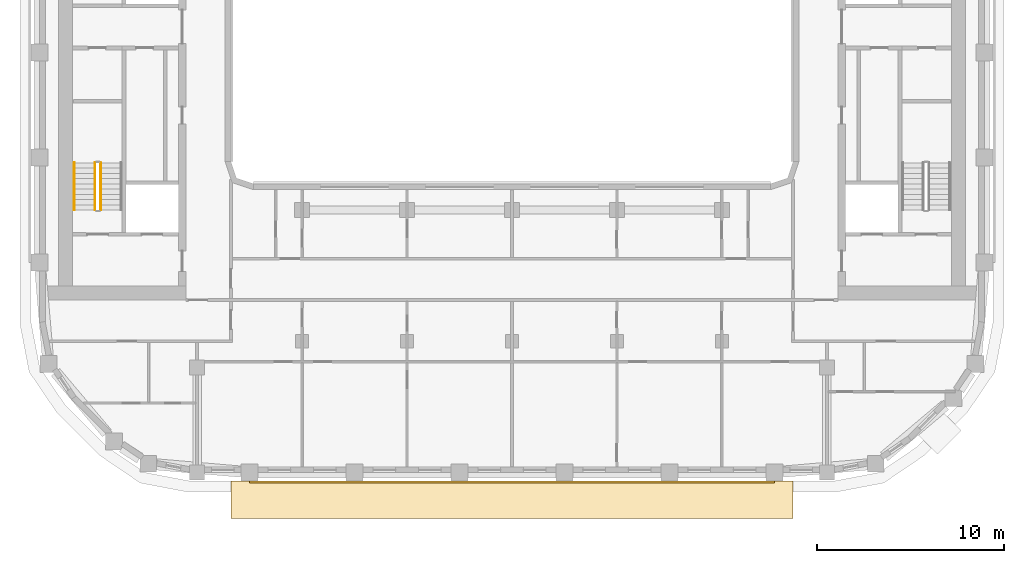
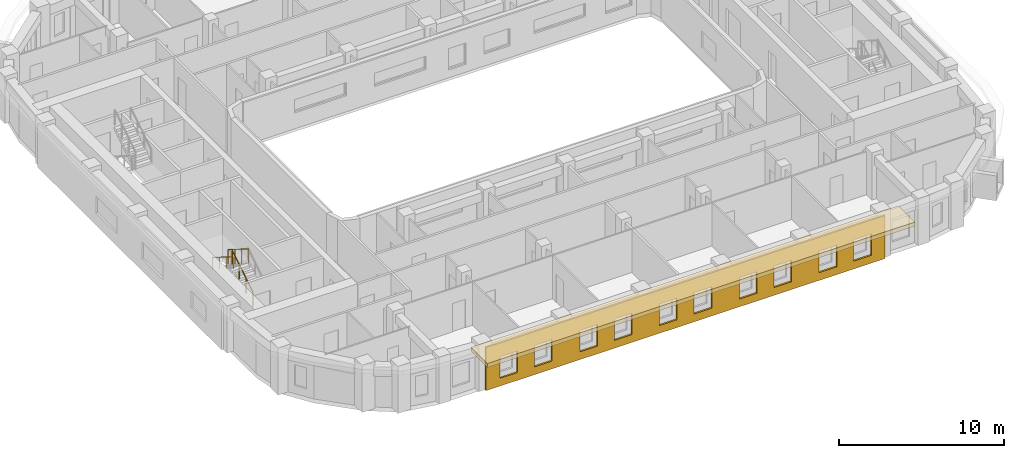
# One storey, part 11 of 21: 3 railings, 2 coverings.
"""IFC4 building model written with IfcOpenShell, lengths in metres."""

from ifc_helpers import new_model, si_unit, direction, frame, origin, origin_2d, place, context, subcontext, project, spatial, polyline, circle, outline, extrude, material, layer, layer_set, type_object, element, save


model = new_model("IFC4")

# Units and contexts
model_context = context("Model", 3, precision=1e-05, world=origin(), true_north=direction((0.0, 1.0)))
body_context = subcontext(model_context, "Body", "Model", "MODEL_VIEW")
ifc_project = project(units=[si_unit("LENGTHUNIT", "METRE"), si_unit("AREAUNIT", "SQUARE_METRE"), si_unit("VOLUMEUNIT", "CUBIC_METRE"), si_unit("PLANEANGLEUNIT", "RADIAN"), si_unit("MASSUNIT", "GRAM", prefix="KILO")], contexts=[model_context])

# Site, building, storey
site_placement = place(None, origin())
site = spatial("IfcSite", under=ifc_project, at=site_placement, CompositionType="ELEMENT")
building_placement = place(site_placement, origin())
building = spatial("IfcBuilding", under=site, at=building_placement, Name="Kiln Ring Residences", CompositionType="ELEMENT")
storey_placement = place(building_placement, frame((0.0, 0.0, 199.39990234375)))
storey = spatial("IfcBuildingStorey", under=building, at=storey_placement, Name="L51", CompositionType="ELEMENT", Elevation=199.39990234375)

# Railings
ifc_material_1 = material(Name="Stainless steel", Category="steel")
railing_type_1 = type_object("IfcRailingType", Name="CORE-STAIR-GUARD", PredefinedType="GUARDRAIL", material=ifc_material_1)
railing_1_placement = place(storey_placement, frame((-21.949951171875, -8.39990234375, 0.175048828125)))
element("IfcRailing", 1, at=railing_1_placement, inside=storey, type_object=railing_type_1, Name="L51 W-STS stair guard 1", PredefinedType="GUARDRAIL", context=body_context, shape_type="SweptSolid", body=[
    extrude(circle(Radius=0.02392578125, at=origin_2d()), frame((0.0, 0.0, 1.076171875), z_axis=(0.0, 0.848007534815, 0.529984170421), x_axis=(-1.0, 0.0, 0.0)), (0.0, 0.0, 1.0), 2.9716796875),
    extrude(circle(Radius=0.02099609375, at=origin_2d()), origin(), (0.0, 0.0, 1.0), 1.052001953125),
    extrude(circle(Radius=0.02099609375, at=origin_2d()), frame((0.0, 0.840087890625, 0.52490234375)), (0.0, 0.0, 1.0), 1.052001953125),
    extrude(circle(Radius=0.02099609375, at=origin_2d()), frame((0.0, 1.679931640625, 1.050048828125)), (0.0, 0.0, 1.0), 1.052001953125),
    extrude(circle(Radius=0.02099609375, at=origin_2d()), frame((0.0, 2.52001953125, 1.574951171875)), (0.0, 0.0, 1.0), 1.052001953125),
])
railing_2_placement = place(storey_placement, frame((-22.25, -5.8798828125, 1.925048828125)))
element("IfcRailing", 2, at=railing_2_placement, inside=storey, type_object=railing_type_1, Name="L51 W-STS stair guard 3", PredefinedType="GUARDRAIL", context=body_context, shape_type="SweptSolid", body=[
    extrude(circle(Radius=0.02392578125, at=origin_2d()), frame((0.0, 0.0, 1.076171875), z_axis=(0.0, -0.848007534815, 0.529984170421), x_axis=(1.0, 0.0, 0.0)), (0.0, 0.0, 1.0), 2.9716796875),
    extrude(circle(Radius=0.02099609375, at=origin_2d()), origin(), (0.0, 0.0, 1.0), 1.052001953125),
    extrude(circle(Radius=0.02099609375, at=origin_2d()), frame((0.0, -0.840087890625, 0.52490234375)), (0.0, 0.0, 1.0), 1.052001953125),
    extrude(circle(Radius=0.02099609375, at=origin_2d()), frame((0.0, -1.679931640625, 1.050048828125)), (0.0, 0.0, 1.0), 1.052001953125),
    extrude(circle(Radius=0.02099609375, at=origin_2d()), frame((0.0, -2.52001953125, 1.574951171875)), (0.0, 0.0, 1.0), 1.052001953125),
])
ifc_material_2 = material(Name="Stainless steel", Category="steel")
railing_type_2 = type_object("IfcRailingType", Name="CORE-STAIR-HANDRAIL", PredefinedType="HANDRAIL", material=ifc_material_2)
railing_3_placement = place(storey_placement, frame((-23.35009765625, -5.8798828125, 1.925048828125)))
element("IfcRailing", 3, at=railing_3_placement, inside=storey, type_object=railing_type_2, Name="L51 W-STS stair handrail 2", PredefinedType="HANDRAIL", context=body_context, shape_type="SweptSolid", body=[
    extrude(circle(Radius=0.02392578125, at=origin_2d()), frame((0.0, 0.0, 0.8759765625), z_axis=(0.0, -0.848007534815, 0.529984170421), x_axis=(1.0, 0.0, 0.0)), (0.0, 0.0, 1.0), 2.9716796875),
    extrude(circle(Radius=0.02099609375, at=origin_2d()), origin(), (0.0, 0.0, 1.0), 0.851806640625),
    extrude(circle(Radius=0.02099609375, at=origin_2d()), frame((0.0, -0.840087890625, 0.52490234375)), (0.0, 0.0, 1.0), 0.851806640625),
    extrude(circle(Radius=0.02099609375, at=origin_2d()), frame((0.0, -1.679931640625, 1.050048828125)), (0.0, 0.0, 1.0), 0.851806640625),
    extrude(circle(Radius=0.02099609375, at=origin_2d()), frame((0.0, -2.52001953125, 1.574951171875)), (0.0, 0.0, 1.0), 0.851806640625),
])

# Coverings
ifc_material_3 = material(Name="Brick masonry, dark clay brick", Category="masonry")
ifc_layer_1 = layer(ifc_material_3, 0.1201171875)
ifc_layer_set_1 = layer_set([ifc_layer_1], Name="RAINSCREEN PANEL 120")
covering_type_1 = type_object("IfcCoveringType", Name="RAINSCREEN PANEL 120", PredefinedType="CLADDING", material=ifc_layer_set_1)
covering_1_placement = place(storey_placement, frame((-14.0, -22.909912109375, 0.0), z_axis=(0.0, 0.0, 1.0), x_axis=(1.0, 0.0, 0.0)))
element("IfcCovering", 4, at=covering_1_placement, inside=storey, type_object=covering_type_1, Name="RAINSCREEN L51", PredefinedType="CLADDING", context=body_context, shape_type="SweptSolid", body=[
    extrude(outline(polyline([(0.0, 0.0), (28.0, 0.0), (28.0, 3.2001953125), (0.0, 3.2001953125), (0.0, 0.0)]), holes=[polyline([(0.967529296875, 0.580078125), (2.20751953125, 0.580078125), (2.20751953125, 2.170166015625), (0.967529296875, 2.170166015625), (0.967529296875, 0.580078125)]), polyline([(3.392578125, 0.580078125), (4.632568359375, 0.580078125), (4.632568359375, 2.170166015625), (3.392578125, 2.170166015625), (3.392578125, 0.580078125)]), polyline([(6.5673828125, 0.580078125), (7.8076171875, 0.580078125), (7.8076171875, 2.170166015625), (6.5673828125, 2.170166015625), (6.5673828125, 0.580078125)]), polyline([(8.992431640625, 2.170166015625), (8.992431640625, 0.580078125), (10.232421875, 0.580078125), (10.232421875, 2.170166015625), (8.992431640625, 2.170166015625)]), polyline([(12.16748046875, 2.170166015625), (12.16748046875, 0.580078125), (13.407470703125, 0.580078125), (13.407470703125, 2.170166015625), (12.16748046875, 2.170166015625)]), polyline([(14.592529296875, 0.580078125), (15.83251953125, 0.580078125), (15.83251953125, 2.170166015625), (14.592529296875, 2.170166015625), (14.592529296875, 0.580078125)]), polyline([(17.767578125, 0.580078125), (19.007568359375, 0.580078125), (19.007568359375, 2.170166015625), (17.767578125, 2.170166015625), (17.767578125, 0.580078125)]), polyline([(20.1923828125, 0.580078125), (21.4326171875, 0.580078125), (21.4326171875, 2.170166015625), (20.1923828125, 2.170166015625), (20.1923828125, 0.580078125)]), polyline([(23.367431640625, 2.170166015625), (23.367431640625, 0.580078125), (24.607421875, 0.580078125), (24.607421875, 2.170166015625), (23.367431640625, 2.170166015625)]), polyline([(25.79248046875, 2.170166015625), (25.79248046875, 0.580078125), (27.032470703125, 0.580078125), (27.032470703125, 2.170166015625), (25.79248046875, 2.170166015625)])]), frame((0.0, 0.06005859375, 0.0), z_axis=(0.0, -1.0, 0.0), x_axis=(1.0, 0.0, 0.0)), (0.0, 0.0, 1.0), 0.1201171875),
])
ifc_material_4 = material(Name="Black powder-coated steel", Category="steel")
ifc_layer_2 = layer(ifc_material_4, 0.300048828125)
ifc_layer_set_2 = layer_set([ifc_layer_2], Name="SUNSHADE BAND 2000")
covering_type_2 = type_object("IfcCoveringType", Name="SUNSHADE BAND 2000", PredefinedType="CLADDING", material=ifc_layer_set_2)
covering_2_placement = place(storey_placement, frame((0.0, 0.0, 3.2001953125)))
element("IfcCovering", 5, at=covering_2_placement, inside=storey, type_object=covering_type_2, Name="SUNSHADE BAND L51", PredefinedType="CLADDING", context=body_context, shape_type="SweptSolid", body=[
    extrude(outline(polyline([(-15.0, -24.85009765625), (15.0, -24.85009765625), (15.0, -22.85009765625), (-15.0, -22.85009765625), (-15.0, -24.85009765625)])), origin(), (0.0, 0.0, 1.0), 0.2998046875),
])

save(model, "model.ifc")
